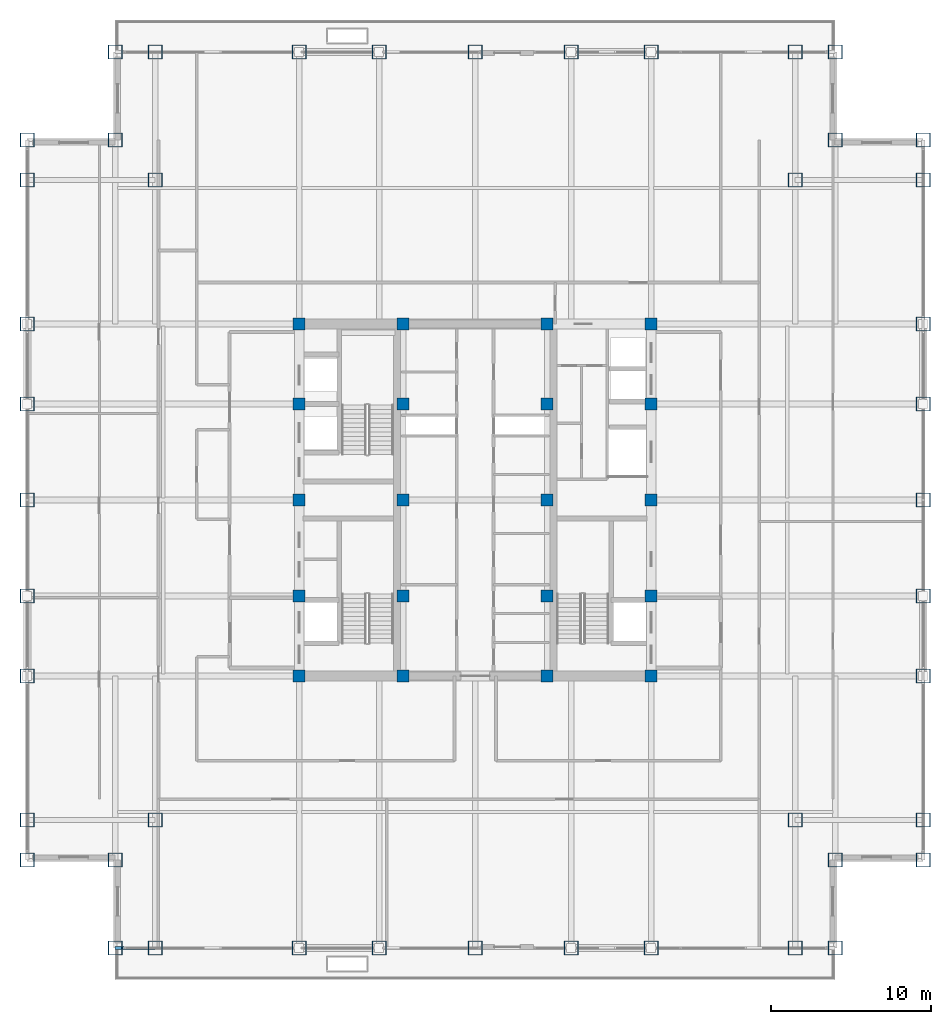
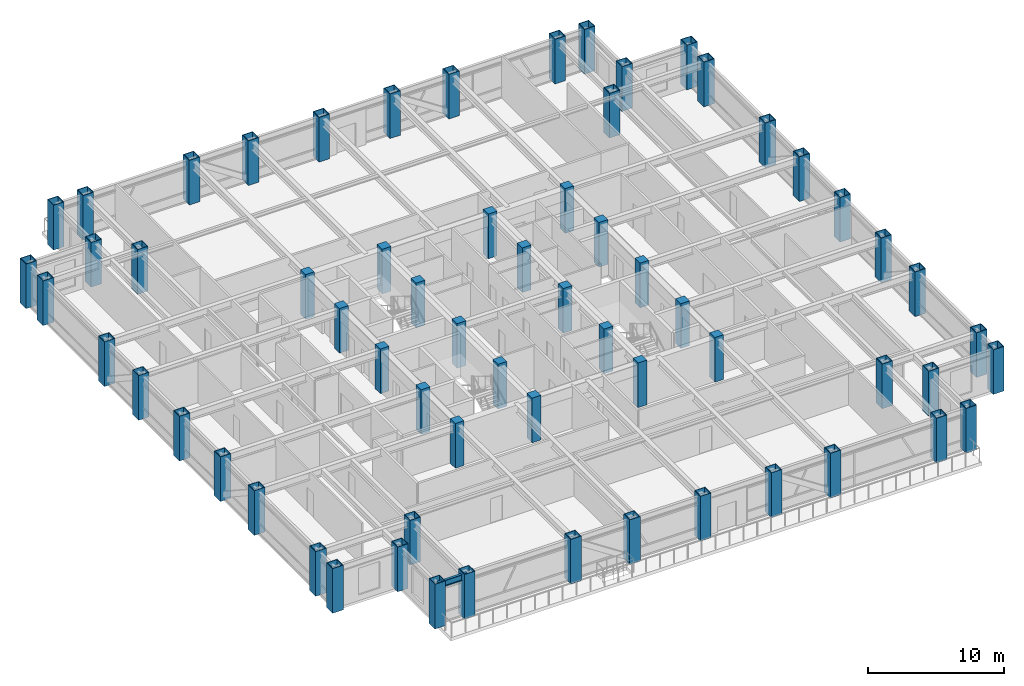
# One storey, part 1 of 32: 64 columns, 1 beam.
"""IFC4 building model written with IfcOpenShell, lengths in metres."""

from ifc_helpers import new_model, si_unit, direction, frame, origin, origin_2d, place, context, subcontext, project, spatial, rectangle, hollow_rectangle, i_section, extrude, source, transform, mapped, material, material_profile, profile_set, type_object, element, save


model = new_model("IFC4")

# Units and contexts
model_context = context("Model", 3, precision=1e-05, world=origin(), true_north=direction((0.0, 1.0)))
body_context = subcontext(model_context, "Body", "Model", "MODEL_VIEW")
ifc_project = project(units=[si_unit("LENGTHUNIT", "METRE"), si_unit("AREAUNIT", "SQUARE_METRE"), si_unit("VOLUMEUNIT", "CUBIC_METRE"), si_unit("PLANEANGLEUNIT", "RADIAN"), si_unit("MASSUNIT", "GRAM", prefix="KILO")], contexts=[model_context])

# Site, building, storey
site_placement = place(None, origin())
site = spatial("IfcSite", under=ifc_project, at=site_placement, CompositionType="ELEMENT")
building_placement = place(site_placement, origin())
building = spatial("IfcBuilding", under=site, at=building_placement, Name="Khorayat Bourse Tower", CompositionType="ELEMENT")
storey_placement = place(building_placement, frame((0.0, 0.0, 273.5)))
storey = spatial("IfcBuildingStorey", under=building, at=storey_placement, Name="L64", CompositionType="ELEMENT", Elevation=273.5)

# Columns
ifc_material_1 = material(Name="Steel EN 10025-4 S460M", Category="steel")
ifc_material_profile_1 = material_profile(ifc_material_1, hollow_rectangle(XDim=0.89990234375, YDim=0.89990234375, WallThickness=0.050048828125, at=origin_2d()), Name="BOX 900x900x50")
ifc_profile_set_1 = profile_set([ifc_material_profile_1], Name="Steel EN 10025-4 S460M")
column_type_1 = type_object("IfcColumnType", Name="COL-TUBE-900", PredefinedType="COLUMN", material=ifc_profile_set_1)
shared_shape_1 = source(origin(), body_context, "Body", "SweptSolid", [
    extrude(hollow_rectangle(XDim=0.89990234375, YDim=0.89990234375, WallThickness=0.050048828125, at=origin_2d()), origin(), (0.0, 0.0, 1.0), 4.0),
])
for number, where, z_axis, x_axis, name in (
    (1, (-28.0, -22.5, 0.0), (0.0, 0.0, 1.0), (1.0, 0.0, 0.0), "L64 Column 001"),
    (2, (-28.0, -20.0, 0.0), (0.0, 0.0, 1.0), (1.0, 0.0, 0.0), "L64 Column 002"),
    (3, (-28.0, -11.0, 0.0), (0.0, 0.0, 1.0), (1.0, 0.0, 0.0), "L64 Column 003"),
    (4, (-28.0, -6.0, 0.0), (0.0, 0.0, 1.0), (1.0, 0.0, 0.0), "L64 Column 004"),
    (5, (-28.0, 0.0, 0.0), (0.0, 0.0, 1.0), (1.0, 0.0, 0.0), "L64 Column 005"),
    (6, (-28.0, 6.0, 0.0), (0.0, 0.0, 1.0), (1.0, 0.0, 0.0), "L64 Column 006"),
    (7, (-28.0, 11.0, 0.0), (0.0, 0.0, 1.0), (1.0, 0.0, 0.0), "L64 Column 007"),
    (8, (-28.0, 20.0, 0.0), (0.0, 0.0, 1.0), (1.0, 0.0, 0.0), "L64 Column 008"),
    (9, (-28.0, 22.5, 0.0), (0.0, 0.0, 1.0), (1.0, 0.0, 0.0), "L64 Column 009"),
    (10, (-22.5, -28.0, 0.0), (0.0, 0.0, 1.0), (1.0, 0.0, 0.0), "L64 Column 010"),
    (11, (-22.5, -22.5, 0.0), (0.0, 0.0, 1.0), (1.0, 0.0, 0.0), "L64 Column 011"),
    (12, (-22.5, 22.5, 0.0), (0.0, 0.0, 1.0), (1.0, 0.0, 0.0), "L64 Column 012"),
    (13, (-22.5, 28.0, 0.0), (0.0, 0.0, 1.0), (1.0, 0.0, 0.0), "L64 Column 013"),
    (14, (-20.0, -28.0, 0.0), (0.0, 0.0, 1.0), (1.0, 0.0, 0.0), "L64 Column 014"),
    (15, (-20.0, -20.0, 0.0), (0.0, 0.0, 1.0), (1.0, 0.0, 0.0), "L64 Column 015"),
    (16, (-20.0, 20.0, 0.0), (0.0, 0.0, 1.0), (1.0, 0.0, 0.0), "L64 Column 016"),
    (17, (-20.0, 28.0, 0.0), (0.0, 0.0, 1.0), (1.0, 0.0, 0.0), "L64 Column 017"),
    (18, (-11.0, -28.0, 0.0), (0.0, 0.0, 1.0), (1.0, 0.0, 0.0), "L64 Column 018"),
    (19, (-11.0, 28.0, 0.0), (0.0, 0.0, 1.0), (1.0, 0.0, 0.0), "L64 Column 024"),
    (20, (-6.0, -28.0, 0.0), (0.0, 0.0, 1.0), (1.0, 0.0, 0.0), "L64 Column 025"),
    (21, (-6.0, 28.0, 0.0), (0.0, 0.0, 1.0), (1.0, 0.0, 0.0), "L64 Column 026"),
    (22, (0.0, -28.0, 0.0), (0.0, 0.0, 1.0), (1.0, 0.0, 0.0), "L64 Column 032"),
    (23, (0.0, 28.0, 0.0), (0.0, 0.0, 1.0), (1.0, 0.0, 0.0), "L64 Column 033"),
    (24, (6.0, -28.0, 0.0), (0.0, 0.0, 1.0), (1.0, 0.0, 0.0), "L64 Column 039"),
    (25, (6.0, 28.0, 0.0), (0.0, 0.0, 1.0), (1.0, 0.0, 0.0), "L64 Column 040"),
    (26, (11.0, -28.0, 0.0), (0.0, 0.0, 1.0), (1.0, 0.0, 0.0), "L64 Column 041"),
    (27, (11.0, 28.0, 0.0), (0.0, 0.0, 1.0), (1.0, 0.0, 0.0), "L64 Column 047"),
    (28, (20.0, -28.0, 0.0), (0.0, 0.0, 1.0), (1.0, 0.0, 0.0), "L64 Column 048"),
    (29, (20.0, -20.0, 0.0), (0.0, 0.0, 1.0), (1.0, 0.0, 0.0), "L64 Column 049"),
    (30, (20.0, 20.0, 0.0), (0.0, 0.0, 1.0), (1.0, 0.0, 0.0), "L64 Column 050"),
    (31, (20.0, 28.0, 0.0), (0.0, 0.0, 1.0), (1.0, 0.0, 0.0), "L64 Column 051"),
    (32, (22.5, -28.0, 0.0), (0.0, 0.0, 1.0), (1.0, 0.0, 0.0), "L64 Column 052"),
    (33, (22.5, -22.5, 0.0), (0.0, 0.0, 1.0), (1.0, 0.0, 0.0), "L64 Column 053"),
    (34, (22.5, 22.5, 0.0), (0.0, 0.0, 1.0), (1.0, 0.0, 0.0), "L64 Column 054"),
    (35, (22.5, 28.0, 0.0), (0.0, 0.0, 1.0), (1.0, 0.0, 0.0), "L64 Column 055"),
    (36, (28.0, -22.5, 0.0), (0.0, 0.0, 1.0), (1.0, 0.0, 0.0), "L64 Column 056"),
    (37, (28.0, -20.0, 0.0), (0.0, 0.0, 1.0), (1.0, 0.0, 0.0), "L64 Column 057"),
    (38, (28.0, -11.0, 0.0), (0.0, 0.0, 1.0), (1.0, 0.0, 0.0), "L64 Column 058"),
    (39, (28.0, -6.0, 0.0), (0.0, 0.0, 1.0), (1.0, 0.0, 0.0), "L64 Column 059"),
    (40, (28.0, 0.0, 0.0), (0.0, 0.0, 1.0), (1.0, 0.0, 0.0), "L64 Column 060"),
    (41, (28.0, 6.0, 0.0), (0.0, 0.0, 1.0), (1.0, 0.0, 0.0), "L64 Column 061"),
    (42, (28.0, 11.0, 0.0), (0.0, 0.0, 1.0), (1.0, 0.0, 0.0), "L64 Column 062"),
    (43, (28.0, 20.0, 0.0), (0.0, 0.0, 1.0), (1.0, 0.0, 0.0), "L64 Column 063"),
    (44, (28.0, 22.5, 0.0), (0.0, 0.0, 1.0), (1.0, 0.0, 0.0), "L64 Column 064"),
):
    element("IfcColumn", number, at=place(storey_placement, frame(where, z_axis=z_axis, x_axis=x_axis)), inside=storey, type_object=column_type_1, Name=name, PredefinedType="COLUMN", context=body_context, shape_type="MappedRepresentation", body=[
        mapped(shared_shape_1, transform((0.0, 0.0, 0.0), scale=1.0)),
    ])
ifc_material_2 = material(Name="Concrete C52/65", Category="concrete")
ifc_material_profile_2 = material_profile(ifc_material_2, rectangle(XDim=0.75, YDim=0.75, at=origin_2d()), Name="RC 750x750")
ifc_profile_set_2 = profile_set([ifc_material_profile_2], Name="Concrete C52/65")
column_type_2 = type_object("IfcColumnType", Name="COL-CORE-750", PredefinedType="COLUMN", material=ifc_profile_set_2)
shared_shape_2 = source(origin(), body_context, "Body", "SweptSolid", [
    extrude(rectangle(XDim=0.75, YDim=0.75, at=origin_2d()), origin(), (0.0, 0.0, 1.0), 4.0),
])
for number, where, z_axis, x_axis, name in (
    (45, (-11.0, -11.0, 0.0), (0.0, 0.0, 1.0), (1.0, 0.0, 0.0), "L64 Column 019"),
    (46, (-11.0, -6.0, 0.0), (0.0, 0.0, 1.0), (1.0, 0.0, 0.0), "L64 Column 020"),
    (47, (-11.0, 0.0, 0.0), (0.0, 0.0, 1.0), (1.0, 0.0, 0.0), "L64 Column 021"),
    (48, (-11.0, 6.0, 0.0), (0.0, 0.0, 1.0), (1.0, 0.0, 0.0), "L64 Column 022"),
    (49, (-11.0, 11.0, 0.0), (0.0, 0.0, 1.0), (1.0, 0.0, 0.0), "L64 Column 023"),
    (50, (-4.5, -11.0, 0.0), (0.0, 0.0, 1.0), (1.0, 0.0, 0.0), "L64 Column 027"),
    (51, (-4.5, -6.0, 0.0), (0.0, 0.0, 1.0), (1.0, 0.0, 0.0), "L64 Column 028"),
    (52, (-4.5, 0.0, 0.0), (0.0, 0.0, 1.0), (1.0, 0.0, 0.0), "L64 Column 029"),
    (53, (-4.5, 6.0, 0.0), (0.0, 0.0, 1.0), (1.0, 0.0, 0.0), "L64 Column 030"),
    (54, (-4.5, 11.0, 0.0), (0.0, 0.0, 1.0), (1.0, 0.0, 0.0), "L64 Column 031"),
    (55, (4.5, -11.0, 0.0), (0.0, 0.0, 1.0), (1.0, 0.0, 0.0), "L64 Column 034"),
    (56, (4.5, -6.0, 0.0), (0.0, 0.0, 1.0), (1.0, 0.0, 0.0), "L64 Column 035"),
    (57, (4.5, 0.0, 0.0), (0.0, 0.0, 1.0), (1.0, 0.0, 0.0), "L64 Column 036"),
    (58, (4.5, 6.0, 0.0), (0.0, 0.0, 1.0), (1.0, 0.0, 0.0), "L64 Column 037"),
    (59, (4.5, 11.0, 0.0), (0.0, 0.0, 1.0), (1.0, 0.0, 0.0), "L64 Column 038"),
    (60, (11.0, -11.0, 0.0), (0.0, 0.0, 1.0), (1.0, 0.0, 0.0), "L64 Column 042"),
    (61, (11.0, -6.0, 0.0), (0.0, 0.0, 1.0), (1.0, 0.0, 0.0), "L64 Column 043"),
    (62, (11.0, 0.0, 0.0), (0.0, 0.0, 1.0), (1.0, 0.0, 0.0), "L64 Column 044"),
    (63, (11.0, 6.0, 0.0), (0.0, 0.0, 1.0), (1.0, 0.0, 0.0), "L64 Column 045"),
    (64, (11.0, 11.0, 0.0), (0.0, 0.0, 1.0), (1.0, 0.0, 0.0), "L64 Column 046"),
):
    element("IfcColumn", number, at=place(storey_placement, frame(where, z_axis=z_axis, x_axis=x_axis)), inside=storey, type_object=column_type_2, Name=name, PredefinedType="COLUMN", context=body_context, shape_type="MappedRepresentation", body=[
        mapped(shared_shape_2, transform((0.0, 0.0, 0.0), scale=1.0)),
    ])

# Beam
ifc_material_3 = material(Name="Steel ASTM A992 Grade 50", Category="steel")
ifc_material_profile_3 = material_profile(ifc_material_3, i_section(OverallWidth=0.214111328125, OverallDepth=0.549072265625, WebThickness=0.0146484375, FlangeThickness=0.023681640625, FilletRadius=0.013916015625, at=origin_2d()), Name="W530X138")
ifc_profile_set_3 = profile_set([ifc_material_profile_3], Name="Steel ASTM A992 Grade 50")
beam_type = type_object("IfcBeamType", Name="BM-SPAN-530", PredefinedType="SPANDREL", material=ifc_profile_set_3)
shared_shape_3 = source(origin(), body_context, "Body", "SweptSolid", [
    extrude(i_section(OverallWidth=0.214111328125, OverallDepth=0.549072265625, WebThickness=0.0146484375, FlangeThickness=0.023681640625, FilletRadius=0.013916015625, at=origin_2d()), origin(), (0.0, 0.0, 1.0), 2.5),
])
beam_placement = place(storey_placement, frame((-22.5, -28.0, 3.505615234375), z_axis=(1.0, 0.0, 0.0), x_axis=(0.0, 1.0, 0.0)))
element("IfcBeam", 65, at=beam_placement, inside=storey, type_object=beam_type, Name="L64 BM-SPAN-530 BM-L64-SPN-024", PredefinedType="SPANDREL", context=body_context, shape_type="MappedRepresentation", body=[
    mapped(shared_shape_3, transform((0.0, 0.0, 0.0), scale=1.0)),
])

save(model, "model.ifc")
